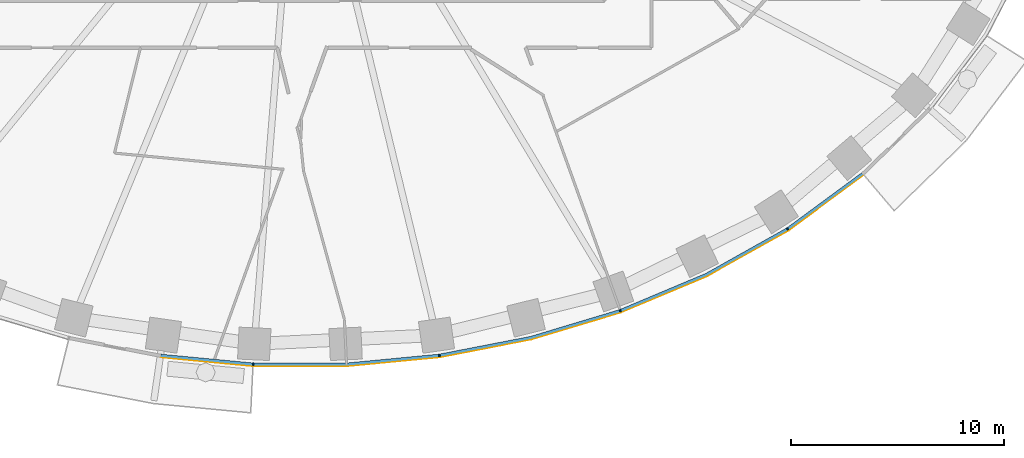
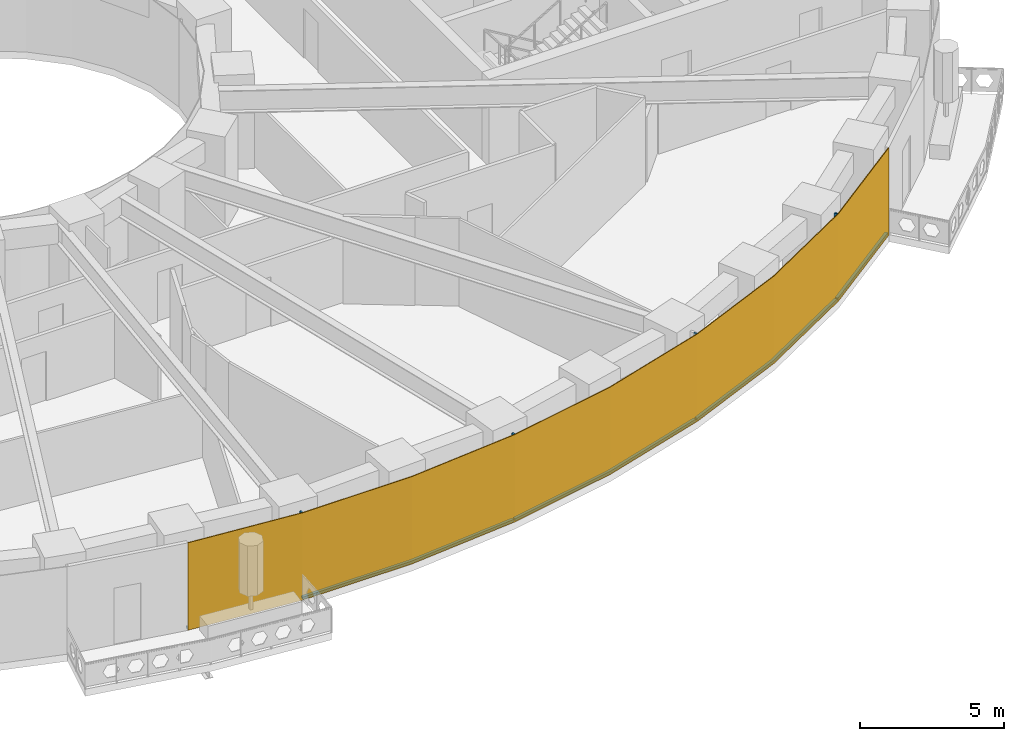
# One storey, part 9 of 16: 9 members, 1 curtain wall.
"""IFC4 building model written with IfcOpenShell, lengths in metres."""

from ifc_helpers import new_model, si_unit, direction, frame, origin, origin_2d, place, context, subcontext, project, spatial, polyline, rectangle, outline, extrude, material, layer, layer_set, material_profile, profile_set, type_object, element, aggregate, save


model = new_model("IFC4")

# Units and contexts
model_context = context("Model", 3, precision=1e-05, world=origin(), true_north=direction((0.0, 1.0)))
body_context = subcontext(model_context, "Body", "Model", "MODEL_VIEW")
ifc_project = project(units=[si_unit("LENGTHUNIT", "METRE"), si_unit("AREAUNIT", "SQUARE_METRE"), si_unit("VOLUMEUNIT", "CUBIC_METRE"), si_unit("PLANEANGLEUNIT", "RADIAN"), si_unit("MASSUNIT", "GRAM", prefix="KILO")], contexts=[model_context])

# Member
ifc_material_1 = material(Name="Aluminium 6063-T6 black anodised", Category="aluminium")
ifc_material_profile = material_profile(ifc_material_1, rectangle(XDim=0.1201171875, YDim=0.06005859375, at=origin_2d()), Name="120x60")
ifc_profile_set = profile_set([ifc_material_profile], Name="Aluminium 6063-T6 black anodised")
member_type_1 = type_object("IfcMemberType", Name="ENV-MULLION-A-120", PredefinedType="MULLION", material=ifc_profile_set)
site_placement = place(None, origin())
building_placement = place(site_placement, origin())
storey_placement = place(building_placement, frame((0.0, 0.0, 46.5)))
member_1_placement = place(storey_placement, frame((-2.188720703125, -27.856201171875, 0.0), z_axis=(0.0, 0.0, 1.0), x_axis=(0.047557873581, 0.998868484166, 0.0)))
member_1 = element("IfcMember", 1, at=member_1_placement, type_object=member_type_1, Name="Mullion A radial 35", PredefinedType="MULLION", context=body_context, shape_type="SweptSolid", body=[
    extrude(rectangle(XDim=0.1201171875, YDim=0.06005859375, at=origin_2d()), origin(), (0.0, 0.0, 1.0), 3.699951171875),
])

member_2_placement = place(storey_placement, frame((6.54638671875, -27.440185546875, 0.0), z_axis=(0.0, 0.0, 1.0), x_axis=(-0.143082012705, 0.989710835366, 0.0)))
member_2 = element("IfcMember", 2, at=member_2_placement, type_object=member_type_1, Name="Mullion A radial 37", PredefinedType="MULLION", context=body_context, shape_type="SweptSolid", body=[
    extrude(rectangle(XDim=0.1201171875, YDim=0.06005859375, at=origin_2d()), origin(), (0.0, 0.0, 1.0), 3.699951171875),
])

member_3_placement = place(storey_placement, frame((15.0341796875, -25.34375, 0.0), z_axis=(0.0, 0.0, 1.0), x_axis=(-0.338379256581, 0.941009818608, 0.0)))
member_3 = element("IfcMember", 3, at=member_3_placement, type_object=member_type_1, Name="Mullion A radial 39", PredefinedType="MULLION", context=body_context, shape_type="SweptSolid", body=[
    extrude(rectangle(XDim=0.1201171875, YDim=0.06005859375, at=origin_2d()), origin(), (0.0, 0.0, 1.0), 3.699951171875),
])

member_4_placement = place(storey_placement, frame((22.882568359375, -21.506591796875, 0.0), z_axis=(0.0, 0.0, 1.0), x_axis=(-0.542279153225, 0.840198381323, 0.0)))
member_4 = element("IfcMember", 4, at=member_4_placement, type_object=member_type_1, Name="Mullion A radial 41", PredefinedType="MULLION", context=body_context, shape_type="SweptSolid", body=[
    extrude(rectangle(XDim=0.1201171875, YDim=0.06005859375, at=origin_2d()), origin(), (0.0, 0.0, 1.0), 3.699951171875),
])

ifc_material_2 = material(Name="Aluminium 6063-T6 black anodised", Category="aluminium")
member_type_2 = type_object("IfcMemberType", Name="ENV-TRANSOM-A", PredefinedType="USERDEFINED", material=ifc_material_2)
member_5_placement = place(storey_placement, origin())
member_5 = element("IfcMember", 5, at=member_5_placement, type_object=member_type_2, Name="Transom A radial 34-35", ObjectType="TRANSOM", PredefinedType="USERDEFINED", context=body_context, shape_type="SweptSolid", body=[
    extrude(outline(polyline([(-6.53515625, -27.50146484375), (-2.219482421875, -27.913330078125), (-2.2138671875, -27.793212890625), (-6.51806640625, -27.382568359375), (-6.53515625, -27.50146484375)])), origin(), (0.0, 0.0, 1.0), 0.10009765625),
])

member_6_placement = place(storey_placement, origin())
member_6 = element("IfcMember", 6, at=member_6_placement, type_object=member_type_2, Name="Transom A radial 35-37", ObjectType="TRANSOM", PredefinedType="USERDEFINED", context=body_context, shape_type="SweptSolid", body=[
    extrude(outline(polyline([(-2.163818359375, -27.916015625), (2.191650390625, -27.916015625), (6.527099609375, -27.502197265625), (6.510009765625, -27.38330078125), (2.185791015625, -27.7958984375), (-2.157958984375, -27.7958984375), (-2.163818359375, -27.916015625)])), origin(), (0.0, 0.0, 1.0), 0.10009765625),
])

member_7_placement = place(storey_placement, origin())
member_7 = element("IfcMember", 7, at=member_7_placement, type_object=member_type_2, Name="Transom A radial 37-39", ObjectType="TRANSOM", PredefinedType="USERDEFINED", context=body_context, shape_type="SweptSolid", body=[
    extrude(outline(polyline([(6.58251953125, -27.494140625), (10.857666015625, -26.6630859375), (15.027587890625, -25.408203125), (14.987060546875, -25.295166015625), (10.828857421875, -26.54638671875), (6.5654296875, -27.375244140625), (6.58251953125, -27.494140625)])), origin(), (0.0, 0.0, 1.0), 0.10009765625),
])

member_8_placement = place(storey_placement, origin())
member_8 = element("IfcMember", 8, at=member_8_placement, type_object=member_type_2, Name="Transom A radial 39-41", ObjectType="TRANSOM", PredefinedType="USERDEFINED", context=body_context, shape_type="SweptSolid", body=[
    extrude(outline(polyline([(15.080322265625, -25.389404296875), (19.093994140625, -23.701416015625), (22.890625, -21.570556640625), (22.825439453125, -21.469482421875), (19.041259765625, -23.593505859375), (15.03955078125, -25.276123046875), (15.080322265625, -25.389404296875)])), origin(), (0.0, 0.0, 1.0), 0.10009765625),
])

member_9_placement = place(storey_placement, origin())
member_9 = element("IfcMember", 9, at=member_9_placement, type_object=member_type_2, Name="Transom A radial 41-42", ObjectType="TRANSOM", PredefinedType="USERDEFINED", context=body_context, shape_type="SweptSolid", body=[
    extrude(outline(polyline([(22.937744140625, -21.540283203125), (26.42626953125, -18.970703125), (26.348388671875, -18.87890625), (22.87255859375, -21.439208984375), (22.937744140625, -21.540283203125)])), origin(), (0.0, 0.0, 1.0), 0.10009765625),
])

# Site, building, storey
site = spatial("IfcSite", under=ifc_project, at=site_placement, CompositionType="ELEMENT")
building = spatial("IfcBuilding", under=site, at=building_placement, Name="Noorbagh Ring Tower", CompositionType="ELEMENT")
storey = spatial("IfcBuildingStorey", under=building, at=storey_placement, Name="L09", CompositionType="ELEMENT", Elevation=46.5)

# Curtain wall
ifc_material_3 = material(Name="Glass dark tinted laminated", Category="glass")
ifc_layer = layer(ifc_material_3, 0.031982421875)
ifc_layer_set = layer_set([ifc_layer], Name="Glass dark tinted laminated")
curtain_wall_type = type_object("IfcCurtainWallType", Name="ENV-CW-A", PredefinedType="NOTDEFINED", material=ifc_layer_set)
curtain_wall_placement = place(storey_placement, origin())
curtain_wall = element("IfcCurtainWall", 10, at=curtain_wall_placement, inside=storey, type_object=curtain_wall_type, Name="Curtain wall A R34", PredefinedType="NOTDEFINED", context=body_context, shape_type="SweptSolid", body=[
    extrude(outline(polyline([(-6.539794921875, -27.533203125), (-2.193115234375, -27.947998046875), (2.193115234375, -27.947998046875), (6.559814453125, -27.53125), (10.865234375, -26.6943359375), (15.065185546875, -25.430419921875), (19.108154296875, -23.730224609375), (22.9326171875, -21.583740234375), (26.447021484375, -18.9951171875), (26.42626953125, -18.970703125), (22.9150390625, -21.556884765625), (19.093994140625, -23.701416015625), (15.054443359375, -25.400146484375), (10.857666015625, -26.6630859375), (6.55517578125, -27.49951171875), (2.191650390625, -27.916015625), (-2.191650390625, -27.916015625), (-6.53515625, -27.50146484375), (-6.539794921875, -27.533203125)])), origin(), (0.0, 0.0, 1.0), 3.699951171875),
])

aggregate(curtain_wall, [member_1, member_2, member_3, member_4, member_5, member_6, member_7, member_8, member_9])

save(model, "model.ifc")
